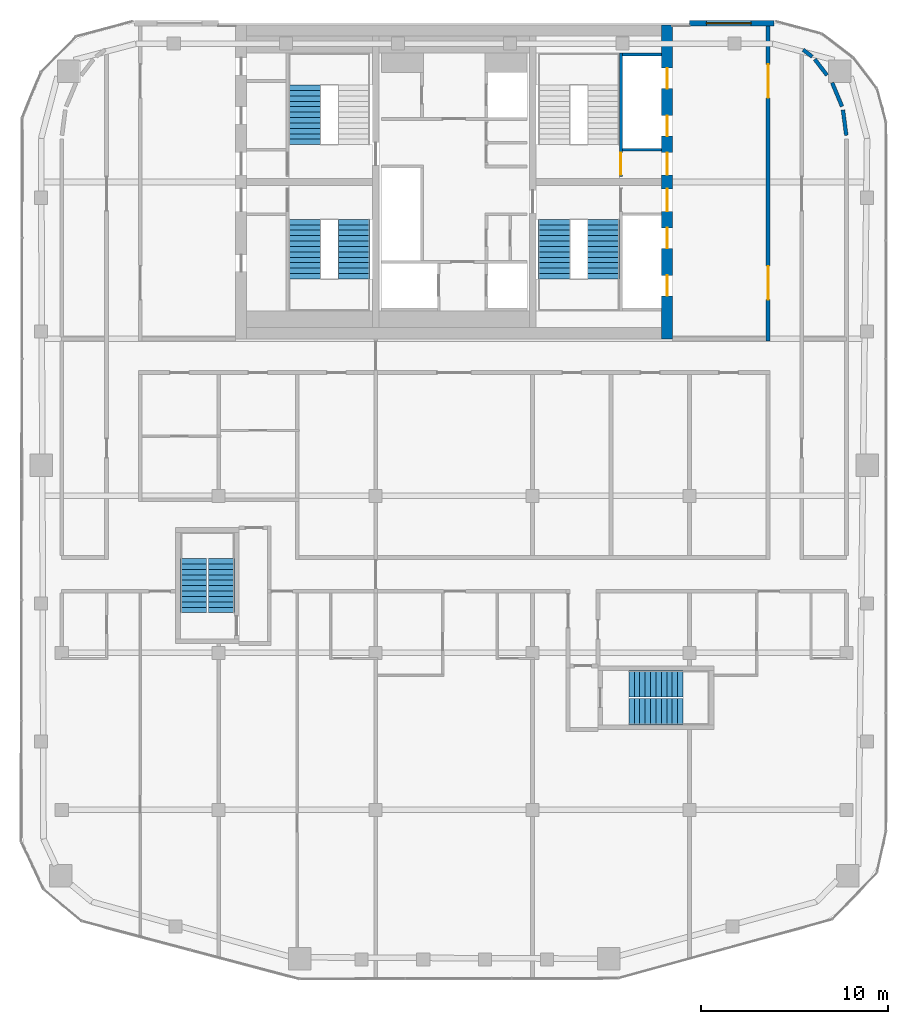
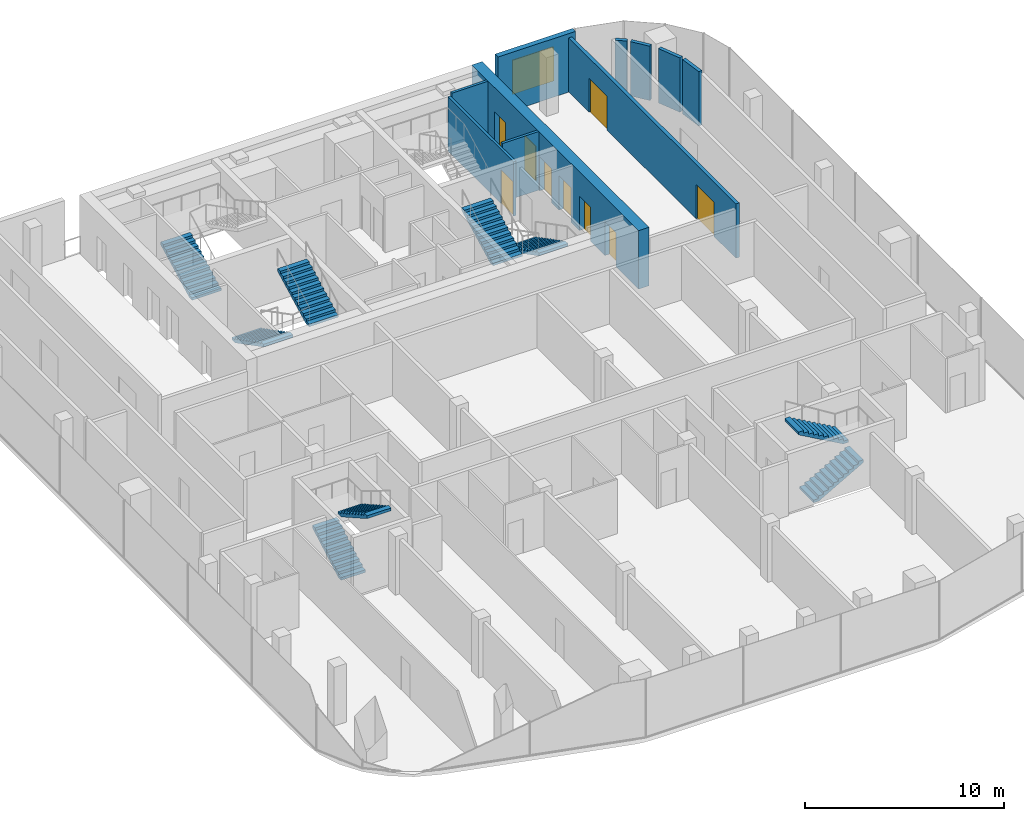
# One storey, part 17 of 19: 10 walls, 9 doors, 9 stair flights, 1 window, 10 openings, 5 elements without a shape of their own.
"""IFC4 building model written with IfcOpenShell, lengths in metres."""

from ifc_helpers import new_model, si_unit, direction, frame, frame_2d, origin, place, context, subcontext, project, spatial, polyline, rectangle, outline, extrude, material, layer, layer_set, type_object, element, fill, aggregate, save


model = new_model("IFC4")

# Units and contexts
model_context = context("Model", 3, precision=1e-05, world=origin(), true_north=direction((0.0, 1.0)))
body_context = subcontext(model_context, "Body", "Model", "MODEL_VIEW")
ifc_project = project(units=[si_unit("LENGTHUNIT", "METRE"), si_unit("AREAUNIT", "SQUARE_METRE"), si_unit("VOLUMEUNIT", "CUBIC_METRE"), si_unit("PLANEANGLEUNIT", "RADIAN"), si_unit("MASSUNIT", "GRAM", prefix="KILO")], contexts=[model_context])

# Site, building, storey
site_placement = place(None, origin())
site = spatial("IfcSite", under=ifc_project, at=site_placement, CompositionType="ELEMENT")
building_placement = place(site_placement, origin())
building = spatial("IfcBuilding", under=site, at=building_placement, Name="Marenta Gate Hotel Tower", CompositionType="ELEMENT")
storey_placement = place(building_placement, frame((0.0, 0.0, 274.10009765625)))
storey = spatial("IfcBuildingStorey", under=building, at=storey_placement, Name="L63", CompositionType="ELEMENT", Elevation=274.10009765625)

# Wall, opening, window
ifc_material_1 = material(Name="Concrete C40 board-marked", Category="concrete")
ifc_layer_1 = layer(ifc_material_1, 0.300048828125)
ifc_layer_set_1 = layer_set([ifc_layer_1], Name="Concrete C40 board-marked")
wall_type_1 = type_object("IfcWallType", Name="Board-marked concrete wall 300 mm", PredefinedType="NOTDEFINED", material=ifc_layer_set_1)
wall_1_placement = place(storey_placement, frame((17.10595703125, 16.889892578125, 0.0), z_axis=(0.0, 0.0, 1.0), x_axis=(-1.0, 0.0, 0.0)))
wall_1 = element("IfcWall", 1, at=wall_1_placement, inside=storey, type_object=wall_type_1, Name="L63-CLD-N00", PredefinedType="NOTDEFINED", context=body_context, shape_type="SweptSolid", body=[
    extrude(rectangle(XDim=4.505859375, YDim=0.300048828125, at=frame_2d((2.2529296875, 0.0))), origin(), (0.0, 0.0, 1.0), 3.599853515625),
])
opening_1_placement = place(wall_1_placement, frame((1.205810546875, 0.0, 0.89990234375)))
opening_1 = element("IfcOpeningElement", 2, at=opening_1_placement, cuts=wall_1, Name="Opening W1", PredefinedType="OPENING", context=body_context, shape_type="SweptSolid", body=[
    extrude(rectangle(XDim=2.39990234375, YDim=2.10009765625, at=frame_2d((1.199951171875, 1.050048828125))), frame((0.0, 0.14990234375, 0.0), z_axis=(0.0, -1.0, 0.0), x_axis=(1.0, 0.0, 0.0)), (0.0, 0.0, 1.0), 0.300048828125),
])
ifc_material_2 = material(Name="Tinted insulated glass in bronze anodised frame", Category="glass")
window_type = type_object("IfcWindowType", Name="Window W1 2400x2100 bronze frame", PartitioningType="SINGLE_PANEL", PredefinedType="WINDOW", material=ifc_material_2)
window_placement = place(opening_1_placement, origin())
window = element("IfcWindow", 3, at=window_placement, inside=storey, type_object=window_type, Name="Window W1", OverallHeight=2.10009765625, OverallWidth=2.39990234375, PartitioningType="SINGLE_PANEL", PredefinedType="WINDOW", context=body_context, shape_type="SweptSolid", body=[
    extrude(rectangle(XDim=2.39990234375, YDim=2.10009765625, at=frame_2d((1.199951171875, 1.050048828125))), frame((0.0, 0.030029296875, 0.0), z_axis=(0.0, -1.0, 0.0), x_axis=(1.0, 0.0, 0.0)), (0.0, 0.0, 1.0), 0.06005859375),
])
fill(opening_1, window)

# Wall, openings, doors
ifc_material_3 = material(Name="Concrete blockwork", Category="masonry")
ifc_layer_2 = layer(ifc_material_3, 0.199951171875)
ifc_layer_set_2 = layer_set([ifc_layer_2], Name="Concrete blockwork")
wall_type_2 = type_object("IfcWallType", Name="Core boundary wall 200 REI 180", PredefinedType="PARTITIONING", material=ifc_layer_set_2)
wall_2_placement = place(storey_placement, frame((16.800048828125, -0.10009765625, 0.0), z_axis=(0.0, 0.0, 1.0), x_axis=(0.0, 1.0, 0.0)))
wall_2 = element("IfcWall", 4, at=wall_2_placement, inside=storey, type_object=wall_type_2, Name="L63-CP-BW-E", PredefinedType="PARTITIONING", context=body_context, shape_type="SweptSolid", body=[
    extrude(rectangle(XDim=17.0, YDim=0.199951171875, at=frame_2d((8.5, 0.0))), origin(), (0.0, 0.0, 1.0), 3.33984375),
])
opening_2_placement = place(wall_2_placement, frame((2.199951171875, 0.0, 0.0)))
opening_2 = element("IfcOpeningElement", 5, at=opening_2_placement, cuts=wall_2, Name="Opening ED-Ea-B", PredefinedType="OPENING", context=body_context, shape_type="SweptSolid", body=[
    extrude(rectangle(XDim=1.800048828125, YDim=2.10009765625, at=frame_2d((0.89990234375, 1.050048828125))), frame((0.0, 0.10009765625, 0.0), z_axis=(0.0, -1.0, 0.0), x_axis=(1.0, 0.0, 0.0)), (0.0, 0.0, 1.0), 0.199951171875),
])
opening_3_placement = place(wall_2_placement, frame((13.0, 0.0, 0.0)))
opening_3 = element("IfcOpeningElement", 6, at=opening_3_placement, cuts=wall_2, Name="Opening ED-Eb-B", PredefinedType="OPENING", context=body_context, shape_type="SweptSolid", body=[
    extrude(rectangle(XDim=1.800048828125, YDim=2.10009765625, at=frame_2d((0.89990234375, 1.050048828125))), frame((0.0, 0.10009765625, 0.0), z_axis=(0.0, -1.0, 0.0), x_axis=(1.0, 0.0, 0.0)), (0.0, 0.0, 1.0), 0.199951171875),
])
ifc_material_4 = material(Name="Steel", Category="steel")
door_type_1 = type_object("IfcDoorType", Name="Core lobby entrance door 1800x2100 EI 60", OperationType="DOUBLE_DOOR_SINGLE_SWING", PredefinedType="DOOR", material=ifc_material_4)
door_1_placement = place(opening_2_placement, origin())
door_1 = element("IfcDoor", 7, at=door_1_placement, inside=storey, type_object=door_type_1, Name="ED-Ea-B", OperationType="DOUBLE_DOOR_SINGLE_SWING", OverallHeight=2.10009765625, OverallWidth=1.800048828125, PredefinedType="DOOR", context=body_context, shape_type="SweptSolid", body=[
    extrude(rectangle(XDim=1.800048828125, YDim=2.10009765625, at=frame_2d((0.89990234375, 1.050048828125))), frame((0.0, 0.02490234375, 0.0), z_axis=(0.0, -1.0, 0.0), x_axis=(1.0, 0.0, 0.0)), (0.0, 0.0, 1.0), 0.050048828125),
])
fill(opening_2, door_1)
door_2_placement = place(opening_3_placement, origin())
door_2 = element("IfcDoor", 8, at=door_2_placement, inside=storey, type_object=door_type_1, Name="ED-Eb-B", OperationType="DOUBLE_DOOR_SINGLE_SWING", OverallHeight=2.10009765625, OverallWidth=1.800048828125, PredefinedType="DOOR", context=body_context, shape_type="SweptSolid", body=[
    extrude(rectangle(XDim=1.800048828125, YDim=2.10009765625, at=frame_2d((0.89990234375, 1.050048828125))), frame((0.0, 0.02490234375, 0.0), z_axis=(0.0, -1.0, 0.0), x_axis=(1.0, 0.0, 0.0)), (0.0, 0.0, 1.0), 0.050048828125),
])
fill(opening_3, door_2)

# Walls
ifc_material_5 = material(Name="Concrete C40", Category="concrete")
ifc_layer_3 = layer(ifc_material_5, 0.14990234375)
ifc_layer_set_3 = layer_set([ifc_layer_3], Name="Concrete C40")
wall_type_3 = type_object("IfcWallType", Name="Core shaft wall 150 REI 180", PredefinedType="SHEAR", material=ifc_layer_set_3)
for number, where, z_axis, x_axis, name in (
    (9, (9.0, 10.125, 0.0), (0.0, 0.0, 1.0), (1.0, 0.0, 0.0), "L63-SHF-SW-EN-2"),
    (10, (9.0, 15.22509765625, 0.0), (0.0, 0.0, 1.0), (1.0, 0.0, 0.0), "L63-SHF-SW-EN-5"),
):
    element("IfcWall", number, at=place(storey_placement, frame(where, z_axis=z_axis, x_axis=x_axis)), inside=storey, type_object=wall_type_3, Name=name, PredefinedType="SHEAR", context=body_context, shape_type="SweptSolid", body=[
        extrude(rectangle(XDim=2.10009765625, YDim=0.14990234375, at=frame_2d((1.050048828125, 0.0))), origin(), (0.0, 0.0, 1.0), 3.599853515625),
    ])

# Wall, opening, door
ifc_material_6 = material(Name="Concrete C40", Category="concrete")
ifc_layer_4 = layer(ifc_material_6, 0.14990234375)
ifc_layer_set_4 = layer_set([ifc_layer_4], Name="Concrete C40")
wall_type_4 = type_object("IfcWallType", Name="Core stair enclosure wall 150 REI 180", PredefinedType="SHEAR", material=ifc_layer_set_4)
wall_3_placement = place(storey_placement, frame((8.925048828125, 8.699951171875, 0.0), z_axis=(0.0, 0.0, 1.0), x_axis=(0.0, 1.0, 0.0)))
wall_3 = element("IfcWall", 11, at=wall_3_placement, inside=storey, type_object=wall_type_4, Name="L63-SHF-SW-EN-3", PredefinedType="SHEAR", context=body_context, shape_type="SweptSolid", body=[
    extrude(rectangle(XDim=6.60009765625, YDim=0.14990234375, at=frame_2d((3.300048828125, 0.0))), origin(), (0.0, 0.0, 1.0), 3.33984375),
])
opening_4_placement = place(wall_3_placement, frame((0.074951171875, 0.0, 0.0)))
opening_4 = element("IfcOpeningElement", 12, at=opening_4_placement, cuts=wall_3, Name="Opening SD-EN", PredefinedType="OPENING", context=body_context, shape_type="SweptSolid", body=[
    extrude(rectangle(XDim=1.199951171875, YDim=2.10009765625, at=frame_2d((0.60009765625, 1.050048828125))), frame((0.0, 0.074951171875, 0.0), z_axis=(0.0, -1.0, 0.0), x_axis=(1.0, 0.0, 0.0)), (0.0, 0.0, 1.0), 0.14990234375),
])
ifc_material_7 = material(Name="Steel", Category="steel")
door_type_2 = type_object("IfcDoorType", Name="Core stair door 1200x2100 FD60", OperationType="SINGLE_SWING_LEFT", PredefinedType="DOOR", material=ifc_material_7)
door_3_placement = place(opening_4_placement, origin())
door_3 = element("IfcDoor", 13, at=door_3_placement, inside=storey, type_object=door_type_2, Name="SD-EN", OperationType="SINGLE_SWING_LEFT", OverallHeight=2.10009765625, OverallWidth=1.199951171875, PredefinedType="DOOR", context=body_context, shape_type="SweptSolid", body=[
    extrude(rectangle(XDim=1.199951171875, YDim=2.10009765625, at=frame_2d((0.60009765625, 1.050048828125))), frame((0.0, 0.02490234375, 0.0), z_axis=(0.0, -1.0, 0.0), x_axis=(1.0, 0.0, 0.0)), (0.0, 0.0, 1.0), 0.050048828125),
])
fill(opening_4, door_3)

# Wall, openings, doors
ifc_material_8 = material(Name="Concrete C50", Category="concrete")
ifc_layer_5 = layer(ifc_material_8, 0.60009765625)
ifc_layer_set_5 = layer_set([ifc_layer_5], Name="Concrete C50")
wall_type_5 = type_object("IfcWallType", Name="Core wall 600 C50", PredefinedType="SHEAR", material=ifc_layer_set_5)
wall_4_placement = place(storey_placement, frame((11.39990234375, 0.0, 0.0), z_axis=(0.0, 0.0, 1.0), x_axis=(0.0, 1.0, 0.0)))
wall_4 = element("IfcWall", 14, at=wall_4_placement, inside=storey, type_object=wall_type_5, Name="L63-CORE-E", PredefinedType="SHEAR", context=body_context, shape_type="SweptSolid", body=[
    extrude(rectangle(XDim=16.800048828125, YDim=0.60009765625, at=frame_2d((8.39990234375, 0.0))), origin(), (0.0, 0.0, 1.0), 3.599853515625),
])
opening_5_placement = place(wall_4_placement, frame((2.300048828125, 0.0, 0.0)))
opening_5 = element("IfcOpeningElement", 15, at=opening_5_placement, cuts=wall_4, Name="Opening LD-HR1", PredefinedType="OPENING", context=body_context, shape_type="SweptSolid", body=[
    extrude(rectangle(XDim=1.10009765625, YDim=2.10009765625, at=frame_2d((0.550048828125, 1.050048828125))), frame((0.0, 0.300048828125, 0.0), z_axis=(0.0, -1.0, 0.0), x_axis=(1.0, 0.0, 0.0)), (0.0, 0.0, 1.0), 0.60009765625),
])
opening_6_placement = place(wall_4_placement, frame((4.85009765625, 0.0, 0.0)))
opening_6 = element("IfcOpeningElement", 16, at=opening_6_placement, cuts=wall_4, Name="Opening LD-HR2", PredefinedType="OPENING", context=body_context, shape_type="SweptSolid", body=[
    extrude(rectangle(XDim=1.10009765625, YDim=2.10009765625, at=frame_2d((0.550048828125, 1.050048828125))), frame((0.0, 0.300048828125, 0.0), z_axis=(0.0, -1.0, 0.0), x_axis=(1.0, 0.0, 0.0)), (0.0, 0.0, 1.0), 0.60009765625),
])
opening_7_placement = place(wall_4_placement, frame((6.824951171875, 0.0, 0.0)))
opening_7 = element("IfcOpeningElement", 17, at=opening_7_placement, cuts=wall_4, Name="Opening PD-ES", PredefinedType="OPENING", context=body_context, shape_type="SweptSolid", body=[
    extrude(rectangle(XDim=1.199951171875, YDim=2.10009765625, at=frame_2d((0.60009765625, 1.050048828125))), frame((0.0, 0.300048828125, 0.0), z_axis=(0.0, -1.0, 0.0), x_axis=(1.0, 0.0, 0.0)), (0.0, 0.0, 1.0), 0.60009765625),
])
opening_8_placement = place(wall_4_placement, frame((13.39990234375, 0.0, 0.0)))
opening_8 = element("IfcOpeningElement", 18, at=opening_8_placement, cuts=wall_4, Name="Opening LD-HR4", PredefinedType="OPENING", context=body_context, shape_type="SweptSolid", body=[
    extrude(rectangle(XDim=1.10009765625, YDim=2.10009765625, at=frame_2d((0.550048828125, 1.050048828125))), frame((0.0, 0.300048828125, 0.0), z_axis=(0.0, -1.0, 0.0), x_axis=(1.0, 0.0, 0.0)), (0.0, 0.0, 1.0), 0.60009765625),
])
opening_9_placement = place(wall_4_placement, frame((10.85009765625, 0.0, 0.0)))
opening_9 = element("IfcOpeningElement", 19, at=opening_9_placement, cuts=wall_4, Name="Opening LD-HR3", PredefinedType="OPENING", context=body_context, shape_type="SweptSolid", body=[
    extrude(rectangle(XDim=1.10009765625, YDim=2.10009765625, at=frame_2d((0.550048828125, 1.050048828125))), frame((0.0, 0.300048828125, 0.0), z_axis=(0.0, -1.0, 0.0), x_axis=(1.0, 0.0, 0.0)), (0.0, 0.0, 1.0), 0.60009765625),
])
opening_10_placement = place(wall_4_placement, frame((8.77490234375, 0.0, 0.0)))
opening_10 = element("IfcOpeningElement", 20, at=opening_10_placement, cuts=wall_4, Name="Opening PD-EN", PredefinedType="OPENING", context=body_context, shape_type="SweptSolid", body=[
    extrude(rectangle(XDim=1.199951171875, YDim=2.10009765625, at=frame_2d((0.60009765625, 1.050048828125))), frame((0.0, 0.300048828125, 0.0), z_axis=(0.0, -1.0, 0.0), x_axis=(1.0, 0.0, 0.0)), (0.0, 0.0, 1.0), 0.60009765625),
])
ifc_material_9 = material(Name="Steel", Category="steel")
door_type_3 = type_object("IfcDoorType", Name="Core lift landing door 1100x2100 E 60", OperationType="SLIDING_TO_LEFT", PredefinedType="DOOR", material=ifc_material_9)
door_4_placement = place(opening_5_placement, origin())
door_4 = element("IfcDoor", 21, at=door_4_placement, inside=storey, type_object=door_type_3, Name="LD-HR1", OperationType="SLIDING_TO_LEFT", OverallHeight=2.10009765625, OverallWidth=1.10009765625, PredefinedType="DOOR", context=body_context, shape_type="SweptSolid", body=[
    extrude(rectangle(XDim=1.10009765625, YDim=2.10009765625, at=frame_2d((0.550048828125, 1.050048828125))), frame((0.0, 0.02490234375, 0.0), z_axis=(0.0, -1.0, 0.0), x_axis=(1.0, 0.0, 0.0)), (0.0, 0.0, 1.0), 0.050048828125),
])
fill(opening_5, door_4)
door_5_placement = place(opening_6_placement, origin())
door_5 = element("IfcDoor", 22, at=door_5_placement, inside=storey, type_object=door_type_3, Name="LD-HR2", OperationType="SLIDING_TO_LEFT", OverallHeight=2.10009765625, OverallWidth=1.10009765625, PredefinedType="DOOR", context=body_context, shape_type="SweptSolid", body=[
    extrude(rectangle(XDim=1.10009765625, YDim=2.10009765625, at=frame_2d((0.550048828125, 1.050048828125))), frame((0.0, 0.02490234375, 0.0), z_axis=(0.0, -1.0, 0.0), x_axis=(1.0, 0.0, 0.0)), (0.0, 0.0, 1.0), 0.050048828125),
])
fill(opening_6, door_5)
door_6_placement = place(opening_8_placement, origin())
door_6 = element("IfcDoor", 23, at=door_6_placement, inside=storey, type_object=door_type_3, Name="LD-HR4", OperationType="SLIDING_TO_LEFT", OverallHeight=2.10009765625, OverallWidth=1.10009765625, PredefinedType="DOOR", context=body_context, shape_type="SweptSolid", body=[
    extrude(rectangle(XDim=1.10009765625, YDim=2.10009765625, at=frame_2d((0.550048828125, 1.050048828125))), frame((0.0, 0.02490234375, 0.0), z_axis=(0.0, -1.0, 0.0), x_axis=(1.0, 0.0, 0.0)), (0.0, 0.0, 1.0), 0.050048828125),
])
fill(opening_8, door_6)
door_7_placement = place(opening_9_placement, origin())
door_7 = element("IfcDoor", 24, at=door_7_placement, inside=storey, type_object=door_type_3, Name="LD-HR3", OperationType="SLIDING_TO_LEFT", OverallHeight=2.10009765625, OverallWidth=1.10009765625, PredefinedType="DOOR", context=body_context, shape_type="SweptSolid", body=[
    extrude(rectangle(XDim=1.10009765625, YDim=2.10009765625, at=frame_2d((0.550048828125, 1.050048828125))), frame((0.0, 0.02490234375, 0.0), z_axis=(0.0, -1.0, 0.0), x_axis=(1.0, 0.0, 0.0)), (0.0, 0.0, 1.0), 0.050048828125),
])
fill(opening_9, door_7)
ifc_material_10 = material(Name="Steel", Category="steel")
door_type_4 = type_object("IfcDoorType", Name="Core lobby door 1200x2100 FD60", OperationType="SINGLE_SWING_LEFT", PredefinedType="DOOR", material=ifc_material_10)
door_8_placement = place(opening_7_placement, origin())
door_8 = element("IfcDoor", 25, at=door_8_placement, inside=storey, type_object=door_type_4, Name="PD-ES", OperationType="SINGLE_SWING_LEFT", OverallHeight=2.10009765625, OverallWidth=1.199951171875, PredefinedType="DOOR", context=body_context, shape_type="SweptSolid", body=[
    extrude(rectangle(XDim=1.199951171875, YDim=2.10009765625, at=frame_2d((0.60009765625, 1.050048828125))), frame((0.0, 0.02490234375, 0.0), z_axis=(0.0, -1.0, 0.0), x_axis=(1.0, 0.0, 0.0)), (0.0, 0.0, 1.0), 0.050048828125),
])
fill(opening_7, door_8)
door_9_placement = place(opening_10_placement, origin())
door_9 = element("IfcDoor", 26, at=door_9_placement, inside=storey, type_object=door_type_4, Name="PD-EN", OperationType="SINGLE_SWING_LEFT", OverallHeight=2.10009765625, OverallWidth=1.199951171875, PredefinedType="DOOR", context=body_context, shape_type="SweptSolid", body=[
    extrude(rectangle(XDim=1.199951171875, YDim=2.10009765625, at=frame_2d((0.60009765625, 1.050048828125))), frame((0.0, 0.02490234375, 0.0), z_axis=(0.0, -1.0, 0.0), x_axis=(1.0, 0.0, 0.0)), (0.0, 0.0, 1.0), 0.050048828125),
])
fill(opening_10, door_9)

# Walls
ifc_material_11 = material(Name="Gypsum board on steel stud", Category="steel")
ifc_layer_6 = layer(ifc_material_11, 0.199951171875)
ifc_layer_set_6 = layer_set([ifc_layer_6], Name="Gypsum board on steel stud")
wall_type_6 = type_object("IfcWallType", Name="Room corridor wall 200 EI 60", PredefinedType="PARTITIONING", material=ifc_layer_set_6)
wall_5_placement = place(storey_placement, frame((18.678955078125, 15.47509765625, 0.0), z_axis=(0.0, 0.0, 1.0), x_axis=(0.794663000987, -0.607050833837, 0.0)))
element("IfcWall", 27, at=wall_5_placement, inside=storey, type_object=wall_type_6, Name="L63-PTN-W060", PredefinedType="PARTITIONING", context=body_context, shape_type="SweptSolid", body=[
    extrude(rectangle(XDim=0.61279296875, YDim=0.199951171875, at=frame_2d((0.306396484375, 0.0))), origin(), (0.0, 0.0, 1.0), 3.33984375),
])
ifc_material_12 = material(Name="Gypsum board on steel stud", Category="steel")
ifc_layer_7 = layer(ifc_material_12, 0.199951171875)
ifc_layer_set_7 = layer_set([ifc_layer_7], Name="Gypsum board on steel stud")
wall_type_7 = type_object("IfcWallType", Name="Room party wall 200 EI 60", PredefinedType="PARTITIONING", material=ifc_layer_set_7)
wall_6_placement = place(storey_placement, frame((20.80908203125, 12.256103515625, 0.0), z_axis=(0.0, 0.0, 1.0), x_axis=(0.129841713905, -0.991534734303, 0.0)))
element("IfcWall", 28, at=wall_6_placement, inside=storey, type_object=wall_type_7, Name="L63-PTN-W057", PredefinedType="PARTITIONING", context=body_context, shape_type="SweptSolid", body=[
    extrude(rectangle(XDim=1.370849609375, YDim=0.199951171875, at=frame_2d((0.685546875, 0.0))), origin(), (0.0, 0.0, 1.0), 3.33984375),
])
wall_7_placement = place(storey_placement, frame((20.23291015625, 13.7099609375, 0.0), z_axis=(0.0, 0.0, 1.0), x_axis=(0.383540942064, -0.923523873953, 0.0)))
element("IfcWall", 29, at=wall_7_placement, inside=storey, type_object=wall_type_7, Name="L63-PTN-W061", PredefinedType="PARTITIONING", context=body_context, shape_type="SweptSolid", body=[
    extrude(rectangle(XDim=1.371826171875, YDim=0.199951171875, at=frame_2d((0.68603515625, 0.0))), origin(), (0.0, 0.0, 1.0), 3.33984375),
])
wall_8_placement = place(storey_placement, frame((19.302978515625, 14.966064453125, 0.0), z_axis=(0.0, 0.0, 1.0), x_axis=(0.607458536541, -0.794351387223, 0.0)))
element("IfcWall", 30, at=wall_8_placement, inside=storey, type_object=wall_type_7, Name="L63-PTN-W064", PredefinedType="PARTITIONING", context=body_context, shape_type="SweptSolid", body=[
    extrude(rectangle(XDim=1.0751953125, YDim=0.199951171875, at=frame_2d((0.53759765625, 0.0))), origin(), (0.0, 0.0, 1.0), 3.33984375),
])

# Stair, stair flights
ifc_material_13 = material(Name="Concrete C40", Category="concrete")
stair_type_1 = type_object("IfcStairType", Name="Core exit stair 1700 wide", PredefinedType="HALF_TURN_STAIR", material=ifc_material_13)
stair_1_placement = place(storey_placement, origin())
stair_1 = element("IfcStair", 31, at=stair_1_placement, inside=storey, type_object=stair_type_1, Name="Exit stair 1", PredefinedType="HALF_TURN_STAIR")
ifc_material_14 = material(Name="Concrete C40", Category="concrete")
stair_flight_type_1 = type_object("IfcStairFlightType", Name="Core stair flight 1700 riser 150.0 going 290", PredefinedType="STRAIGHT", material=ifc_material_14)
stair_flight_1_placement = place(storey_placement, frame((-8.0, 6.39990234375, 0.0), z_axis=(0.0, 0.0, 1.0), x_axis=(0.0, -1.0, 0.0)))
stair_flight_1 = element("IfcStairFlight", 32, at=stair_flight_1_placement, type_object=stair_flight_type_1, Name="ST1 flight 1", NumberOfRisers=12, NumberOfTreads=11, PredefinedType="STRAIGHT", RiserHeight=0.15, TreadLength=0.29, context=body_context, shape_type="SweptSolid", body=[
    extrude(outline(polyline([(0.0, 0.0), (0.0, 0.14990234375), (0.2900390625, 0.14990234375), (0.2900390625, 0.300048828125), (0.580078125, 0.300048828125), (0.580078125, 0.449951171875), (0.8701171875, 0.449951171875), (0.8701171875, 0.60009765625), (1.159912109375, 0.60009765625), (1.159912109375, 0.75), (1.449951171875, 0.75), (1.449951171875, 0.89990234375), (1.739990234375, 0.89990234375), (1.739990234375, 1.050048828125), (2.030029296875, 1.050048828125), (2.030029296875, 1.199951171875), (2.320068359375, 1.199951171875), (2.320068359375, 1.35009765625), (2.610107421875, 1.35009765625), (2.610107421875, 1.5), (2.89990234375, 1.5), (2.89990234375, 1.64990234375), (3.18994140625, 1.64990234375), (3.18994140625, 1.800048828125), (3.18994140625, 1.481201171875), (0.326171875, 0.0), (0.0, 0.0)])), frame((0.0, 0.85009765625, 0.0), z_axis=(0.0, -1.0, 0.0), x_axis=(1.0, 0.0, 0.0)), (0.0, 0.0, 1.0), 1.699951171875),
])
stair_flight_2_placement = place(storey_placement, frame((-5.35009765625, 3.2099609375, 1.7998046875), z_axis=(0.0, 0.0, 1.0), x_axis=(0.0, 1.0, 0.0)))
stair_flight_2 = element("IfcStairFlight", 33, at=stair_flight_2_placement, type_object=stair_flight_type_1, Name="ST1 flight 2", NumberOfRisers=12, NumberOfTreads=11, PredefinedType="STRAIGHT", RiserHeight=0.15, TreadLength=0.29, context=body_context, shape_type="SweptSolid", body=[
    extrude(outline(polyline([(0.0, 0.0), (0.0, 0.14990234375), (0.2900390625, 0.14990234375), (0.2900390625, 0.300048828125), (0.580078125, 0.300048828125), (0.580078125, 0.449951171875), (0.8701171875, 0.449951171875), (0.8701171875, 0.60009765625), (1.159912109375, 0.60009765625), (1.159912109375, 0.75), (1.449951171875, 0.75), (1.449951171875, 0.89990234375), (1.739990234375, 0.89990234375), (1.739990234375, 1.050048828125), (2.030029296875, 1.050048828125), (2.030029296875, 1.199951171875), (2.320068359375, 1.199951171875), (2.320068359375, 1.35009765625), (2.610107421875, 1.35009765625), (2.610107421875, 1.5), (2.89990234375, 1.5), (2.89990234375, 1.64990234375), (3.18994140625, 1.64990234375), (3.18994140625, 1.800048828125), (3.18994140625, 1.481201171875), (0.326171875, 0.0), (0.0, 0.0)])), frame((0.0, 0.85009765625, 0.0), z_axis=(0.0, -1.0, 0.0), x_axis=(1.0, 0.0, 0.0)), (0.0, 0.0, 1.0), 1.699951171875),
])
aggregate(stair_1, [stair_flight_1, stair_flight_2])

# Stair, stair flight
stair_2_placement = place(storey_placement, origin())
stair_2 = element("IfcStair", 34, at=stair_2_placement, inside=storey, type_object=stair_type_1, Name="Exit stair 2", PredefinedType="HALF_TURN_STAIR")
stair_flight_3_placement = place(storey_placement, frame((-8.0, 10.39990234375, 0.0), z_axis=(0.0, 0.0, 1.0), x_axis=(0.0, 1.0, 0.0)))
stair_flight_3 = element("IfcStairFlight", 35, at=stair_flight_3_placement, type_object=stair_flight_type_1, Name="ST2 flight 1", NumberOfRisers=12, NumberOfTreads=11, PredefinedType="STRAIGHT", RiserHeight=0.15, TreadLength=0.29, context=body_context, shape_type="SweptSolid", body=[
    extrude(outline(polyline([(0.0, 0.0), (0.0, 0.14990234375), (0.2900390625, 0.14990234375), (0.2900390625, 0.300048828125), (0.580078125, 0.300048828125), (0.580078125, 0.449951171875), (0.8701171875, 0.449951171875), (0.8701171875, 0.60009765625), (1.159912109375, 0.60009765625), (1.159912109375, 0.75), (1.449951171875, 0.75), (1.449951171875, 0.89990234375), (1.739990234375, 0.89990234375), (1.739990234375, 1.050048828125), (2.030029296875, 1.050048828125), (2.030029296875, 1.199951171875), (2.320068359375, 1.199951171875), (2.320068359375, 1.35009765625), (2.610107421875, 1.35009765625), (2.610107421875, 1.5), (2.89990234375, 1.5), (2.89990234375, 1.64990234375), (3.18994140625, 1.64990234375), (3.18994140625, 1.800048828125), (3.18994140625, 1.481201171875), (0.326171875, 0.0), (0.0, 0.0)])), frame((0.0, 0.85009765625, 0.0), z_axis=(0.0, -1.0, 0.0), x_axis=(1.0, 0.0, 0.0)), (0.0, 0.0, 1.0), 1.699951171875),
])
aggregate(stair_2, [stair_flight_3])

# Stair, stair flights
stair_3_placement = place(storey_placement, origin())
stair_3 = element("IfcStair", 36, at=stair_3_placement, inside=storey, type_object=stair_type_1, Name="Exit stair 3", PredefinedType="HALF_TURN_STAIR")
stair_flight_4_placement = place(storey_placement, frame((8.0, 6.39990234375, 0.0), z_axis=(0.0, 0.0, 1.0), x_axis=(0.0, -1.0, 0.0)))
stair_flight_4 = element("IfcStairFlight", 37, at=stair_flight_4_placement, type_object=stair_flight_type_1, Name="ST3 flight 1", NumberOfRisers=12, NumberOfTreads=11, PredefinedType="STRAIGHT", RiserHeight=0.15, TreadLength=0.29, context=body_context, shape_type="SweptSolid", body=[
    extrude(outline(polyline([(0.0, 0.0), (0.0, 0.14990234375), (0.2900390625, 0.14990234375), (0.2900390625, 0.300048828125), (0.580078125, 0.300048828125), (0.580078125, 0.449951171875), (0.8701171875, 0.449951171875), (0.8701171875, 0.60009765625), (1.159912109375, 0.60009765625), (1.159912109375, 0.75), (1.449951171875, 0.75), (1.449951171875, 0.89990234375), (1.739990234375, 0.89990234375), (1.739990234375, 1.050048828125), (2.030029296875, 1.050048828125), (2.030029296875, 1.199951171875), (2.320068359375, 1.199951171875), (2.320068359375, 1.35009765625), (2.610107421875, 1.35009765625), (2.610107421875, 1.5), (2.89990234375, 1.5), (2.89990234375, 1.64990234375), (3.18994140625, 1.64990234375), (3.18994140625, 1.800048828125), (3.18994140625, 1.481201171875), (0.326171875, 0.0), (0.0, 0.0)])), frame((0.0, 0.85009765625, 0.0), z_axis=(0.0, -1.0, 0.0), x_axis=(1.0, 0.0, 0.0)), (0.0, 0.0, 1.0), 1.699951171875),
])
stair_flight_5_placement = place(storey_placement, frame((5.35009765625, 3.2099609375, 1.7998046875), z_axis=(0.0, 0.0, 1.0), x_axis=(0.0, 1.0, 0.0)))
stair_flight_5 = element("IfcStairFlight", 38, at=stair_flight_5_placement, type_object=stair_flight_type_1, Name="ST3 flight 2", NumberOfRisers=12, NumberOfTreads=11, PredefinedType="STRAIGHT", RiserHeight=0.15, TreadLength=0.29, context=body_context, shape_type="SweptSolid", body=[
    extrude(outline(polyline([(0.0, 0.0), (0.0, 0.14990234375), (0.2900390625, 0.14990234375), (0.2900390625, 0.300048828125), (0.580078125, 0.300048828125), (0.580078125, 0.449951171875), (0.8701171875, 0.449951171875), (0.8701171875, 0.60009765625), (1.159912109375, 0.60009765625), (1.159912109375, 0.75), (1.449951171875, 0.75), (1.449951171875, 0.89990234375), (1.739990234375, 0.89990234375), (1.739990234375, 1.050048828125), (2.030029296875, 1.050048828125), (2.030029296875, 1.199951171875), (2.320068359375, 1.199951171875), (2.320068359375, 1.35009765625), (2.610107421875, 1.35009765625), (2.610107421875, 1.5), (2.89990234375, 1.5), (2.89990234375, 1.64990234375), (3.18994140625, 1.64990234375), (3.18994140625, 1.800048828125), (3.18994140625, 1.481201171875), (0.326171875, 0.0), (0.0, 0.0)])), frame((0.0, 0.85009765625, 0.0), z_axis=(0.0, -1.0, 0.0), x_axis=(1.0, 0.0, 0.0)), (0.0, 0.0, 1.0), 1.699951171875),
])
aggregate(stair_3, [stair_flight_4, stair_flight_5])

ifc_material_15 = material(Name="Concrete C40", Category="concrete")
stair_type_2 = type_object("IfcStairType", Name="Remote exit stair 1400 wide", PredefinedType="HALF_TURN_STAIR", material=ifc_material_15)
stair_4_placement = place(storey_placement, origin())
stair_4 = element("IfcStair", 39, at=stair_4_placement, inside=storey, type_object=stair_type_2, Name="Exit stair RS-Z4-1", PredefinedType="HALF_TURN_STAIR")
ifc_material_16 = material(Name="Concrete C40", Category="concrete")
stair_flight_type_2 = type_object("IfcStairFlightType", Name="Remote stair flight 1400 riser 163.6 going 290", PredefinedType="STRAIGHT", material=ifc_material_16)
stair_flight_6_placement = place(storey_placement, frame((9.35009765625, -19.949951171875, 0.0), z_axis=(0.0, 0.0, 1.0), x_axis=(1.0, 0.0, 0.0)))
stair_flight_6 = element("IfcStairFlight", 40, at=stair_flight_6_placement, type_object=stair_flight_type_2, Name="RS-Z4-1 flight 1", NumberOfRisers=11, NumberOfTreads=10, PredefinedType="STRAIGHT", RiserHeight=0.163636, TreadLength=0.29, context=body_context, shape_type="SweptSolid", body=[
    extrude(outline(polyline([(0.0, 0.0), (0.0, 0.16357421875), (0.2900390625, 0.16357421875), (0.2900390625, 0.327392578125), (0.580078125, 0.327392578125), (0.580078125, 0.490966796875), (0.8701171875, 0.490966796875), (0.8701171875, 0.654541015625), (1.159912109375, 0.654541015625), (1.159912109375, 0.818115234375), (1.449951171875, 0.818115234375), (1.449951171875, 0.98193359375), (1.739990234375, 0.98193359375), (1.739990234375, 1.1455078125), (2.030029296875, 1.1455078125), (2.030029296875, 1.30908203125), (2.320068359375, 1.30908203125), (2.320068359375, 1.47265625), (2.610107421875, 1.47265625), (2.610107421875, 1.636474609375), (2.89990234375, 1.636474609375), (2.89990234375, 1.800048828125), (2.89990234375, 1.46435546875), (0.304931640625, 0.0), (0.0, 0.0)])), frame((0.0, 0.699951171875, 0.0), z_axis=(0.0, -1.0, 0.0), x_axis=(1.0, 0.0, 0.0)), (0.0, 0.0, 1.0), 1.39990234375),
])
stair_flight_7_placement = place(storey_placement, frame((12.25, -18.449951171875, 1.7998046875), z_axis=(0.0, 0.0, 1.0), x_axis=(-1.0, 0.0, 0.0)))
stair_flight_7 = element("IfcStairFlight", 41, at=stair_flight_7_placement, type_object=stair_flight_type_2, Name="RS-Z4-1 flight 2", NumberOfRisers=11, NumberOfTreads=10, PredefinedType="STRAIGHT", RiserHeight=0.163636, TreadLength=0.29, context=body_context, shape_type="SweptSolid", body=[
    extrude(outline(polyline([(0.0, 0.0), (0.0, 0.16357421875), (0.2900390625, 0.16357421875), (0.2900390625, 0.327392578125), (0.580078125, 0.327392578125), (0.580078125, 0.490966796875), (0.8701171875, 0.490966796875), (0.8701171875, 0.654541015625), (1.159912109375, 0.654541015625), (1.159912109375, 0.818115234375), (1.449951171875, 0.818115234375), (1.449951171875, 0.98193359375), (1.739990234375, 0.98193359375), (1.739990234375, 1.1455078125), (2.030029296875, 1.1455078125), (2.030029296875, 1.30908203125), (2.320068359375, 1.30908203125), (2.320068359375, 1.47265625), (2.610107421875, 1.47265625), (2.610107421875, 1.636474609375), (2.89990234375, 1.636474609375), (2.89990234375, 1.800048828125), (2.89990234375, 1.46435546875), (0.304931640625, 0.0), (0.0, 0.0)])), frame((0.0, 0.699951171875, 0.0), z_axis=(0.0, -1.0, 0.0), x_axis=(1.0, 0.0, 0.0)), (0.0, 0.0, 1.0), 1.39990234375),
])
aggregate(stair_4, [stair_flight_6, stair_flight_7])

stair_5_placement = place(storey_placement, origin())
stair_5 = element("IfcStair", 42, at=stair_5_placement, inside=storey, type_object=stair_type_2, Name="Exit stair RS-Z4-2", PredefinedType="HALF_TURN_STAIR")
stair_flight_8_placement = place(storey_placement, frame((-13.949951171875, -14.64990234375, 0.0), z_axis=(0.0, 0.0, 1.0), x_axis=(0.0, 1.0, 0.0)))
stair_flight_8 = element("IfcStairFlight", 43, at=stair_flight_8_placement, type_object=stair_flight_type_2, Name="RS-Z4-2 flight 1", NumberOfRisers=11, NumberOfTreads=10, PredefinedType="STRAIGHT", RiserHeight=0.163636, TreadLength=0.29, context=body_context, shape_type="SweptSolid", body=[
    extrude(outline(polyline([(0.0, 0.0), (0.0, 0.16357421875), (0.2900390625, 0.16357421875), (0.2900390625, 0.327392578125), (0.580078125, 0.327392578125), (0.580078125, 0.490966796875), (0.8701171875, 0.490966796875), (0.8701171875, 0.654541015625), (1.159912109375, 0.654541015625), (1.159912109375, 0.818115234375), (1.449951171875, 0.818115234375), (1.449951171875, 0.98193359375), (1.739990234375, 0.98193359375), (1.739990234375, 1.1455078125), (2.030029296875, 1.1455078125), (2.030029296875, 1.30908203125), (2.320068359375, 1.30908203125), (2.320068359375, 1.47265625), (2.610107421875, 1.47265625), (2.610107421875, 1.636474609375), (2.89990234375, 1.636474609375), (2.89990234375, 1.800048828125), (2.89990234375, 1.46435546875), (0.304931640625, 0.0), (0.0, 0.0)])), frame((0.0, 0.699951171875, 0.0), z_axis=(0.0, -1.0, 0.0), x_axis=(1.0, 0.0, 0.0)), (0.0, 0.0, 1.0), 1.39990234375),
])
stair_flight_9_placement = place(storey_placement, frame((-12.449951171875, -11.75, 1.7998046875), z_axis=(0.0, 0.0, 1.0), x_axis=(0.0, -1.0, 0.0)))
stair_flight_9 = element("IfcStairFlight", 44, at=stair_flight_9_placement, type_object=stair_flight_type_2, Name="RS-Z4-2 flight 2", NumberOfRisers=11, NumberOfTreads=10, PredefinedType="STRAIGHT", RiserHeight=0.163636, TreadLength=0.29, context=body_context, shape_type="SweptSolid", body=[
    extrude(outline(polyline([(0.0, 0.0), (0.0, 0.16357421875), (0.2900390625, 0.16357421875), (0.2900390625, 0.327392578125), (0.580078125, 0.327392578125), (0.580078125, 0.490966796875), (0.8701171875, 0.490966796875), (0.8701171875, 0.654541015625), (1.159912109375, 0.654541015625), (1.159912109375, 0.818115234375), (1.449951171875, 0.818115234375), (1.449951171875, 0.98193359375), (1.739990234375, 0.98193359375), (1.739990234375, 1.1455078125), (2.030029296875, 1.1455078125), (2.030029296875, 1.30908203125), (2.320068359375, 1.30908203125), (2.320068359375, 1.47265625), (2.610107421875, 1.47265625), (2.610107421875, 1.636474609375), (2.89990234375, 1.636474609375), (2.89990234375, 1.800048828125), (2.89990234375, 1.46435546875), (0.304931640625, 0.0), (0.0, 0.0)])), frame((0.0, 0.699951171875, 0.0), z_axis=(0.0, -1.0, 0.0), x_axis=(1.0, 0.0, 0.0)), (0.0, 0.0, 1.0), 1.39990234375),
])
aggregate(stair_5, [stair_flight_8, stair_flight_9])

save(model, "model.ifc")
